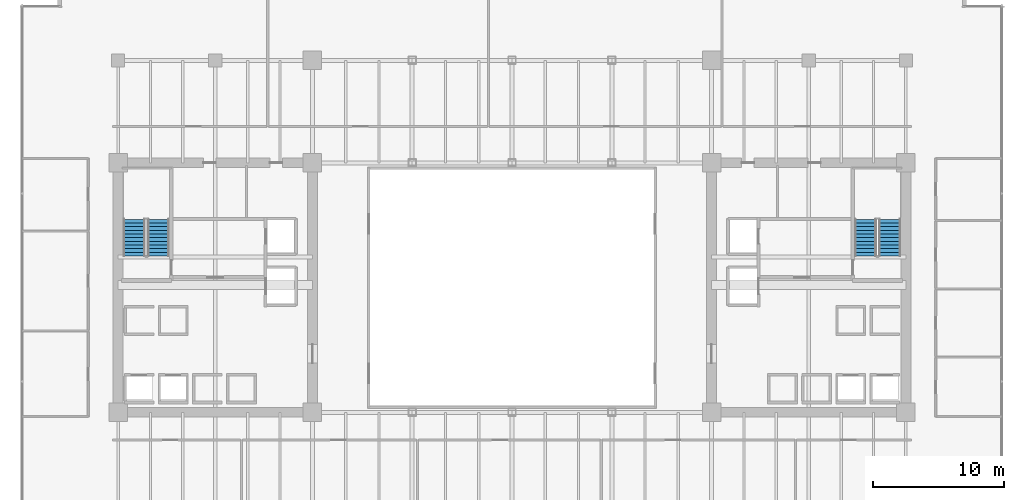
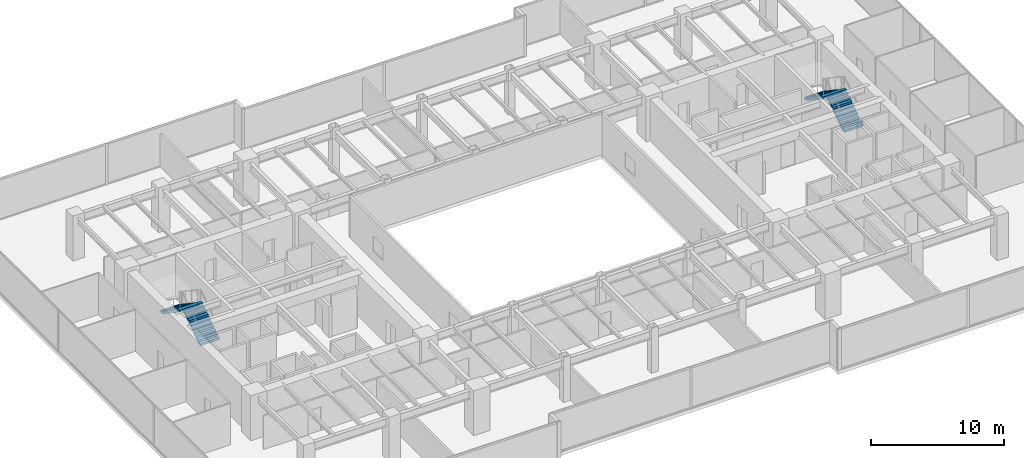
# One storey, part 33 of 35: 4 stair flights, 2 elements without a shape of their own.
"""IFC4 building model written with IfcOpenShell, lengths in metres."""

from ifc_helpers import new_model, si_unit, direction, frame, origin, place, context, subcontext, project, spatial, polyline, outline, extrude, source, transform, mapped, material, type_object, type_shapes, element, aggregate, save


model = new_model("IFC4")

# Units and contexts
model_context = context("Model", 3, precision=1e-05, world=origin(), true_north=direction((0.0, 1.0)))
body_context = subcontext(model_context, "Body", "Model", "MODEL_VIEW")
ifc_project = project(units=[si_unit("LENGTHUNIT", "METRE"), si_unit("AREAUNIT", "SQUARE_METRE"), si_unit("VOLUMEUNIT", "CUBIC_METRE"), si_unit("PLANEANGLEUNIT", "RADIAN"), si_unit("MASSUNIT", "GRAM", prefix="KILO")], contexts=[model_context])

# Site, building, storey
site_placement = place(None, origin())
site = spatial("IfcSite", under=ifc_project, at=site_placement, CompositionType="ELEMENT")
building_placement = place(site_placement, origin())
building = spatial("IfcBuilding", under=site, at=building_placement, Name="Haelvirn Gate Laboratories", CompositionType="ELEMENT")
storey_placement = place(building_placement, frame((0.0, 0.0, 58.0)))
storey = spatial("IfcBuildingStorey", under=building, at=storey_placement, Name="L14", CompositionType="ELEMENT", Elevation=58.0)

# Stair, stair flights
ifc_material = material(Name="Concrete C40/50", Category="concrete")
stair_type = type_object("IfcStairType", Name="ST-DOG-1650-R22", PredefinedType="HALF_TURN_STAIR", material=ifc_material)
stair_1_placement = place(storey_placement, origin())
stair_1 = element("IfcStair", 1, at=stair_1_placement, inside=storey, type_object=stair_type, Name="L14 Escape Stair ST1", PredefinedType="HALF_TURN_STAIR")
stair_flight_type = type_object("IfcStairFlightType", Name="STF-1650-R11", PredefinedType="STRAIGHT", material=ifc_material)
shared_shape = source(origin(), body_context, "Body", "SweptSolid", [
    extrude(outline(polyline([(0.0, 0.0), (0.0, 0.186279296875), (0.280029296875, 0.186279296875), (0.280029296875, 0.372802734375), (0.56005859375, 0.372802734375), (0.56005859375, 0.55908203125), (0.840087890625, 0.55908203125), (0.840087890625, 0.745361328125), (1.1201171875, 0.745361328125), (1.1201171875, 0.931884765625), (1.39990234375, 0.931884765625), (1.39990234375, 1.1181640625), (1.679931640625, 1.1181640625), (1.679931640625, 1.304443359375), (1.9599609375, 1.304443359375), (1.9599609375, 1.490966796875), (2.239990234375, 1.490966796875), (2.239990234375, 1.67724609375), (2.52001953125, 1.67724609375), (2.52001953125, 1.863525390625), (2.800048828125, 1.863525390625), (2.800048828125, 2.050048828125), (2.800048828125, 1.671630859375), (0.28857421875, 0.0), (0.0, 0.0)])), frame((0.0, 0.824951171875, 0.0), z_axis=(0.0, -1.0, 0.0), x_axis=(1.0, 0.0, 0.0)), (0.0, 0.0, 1.0), 1.64990234375),
])
type_shapes(stair_flight_type, [shared_shape])
stair_flight_1_placement = place(storey_placement, frame((10.47509765625, 26.699951171875, 0.0), z_axis=(0.0, 0.0, 1.0), x_axis=(0.0, 1.0, 0.0)))
stair_flight_1 = element("IfcStairFlight", 2, at=stair_flight_1_placement, type_object=stair_flight_type, Name="ST1 flight 1", NumberOfRisers=11, NumberOfTreads=10, PredefinedType="STRAIGHT", RiserHeight=0.186363636, TreadLength=0.28, context=body_context, shape_type="MappedRepresentation", body=[
    mapped(shared_shape, transform((0.0, 0.0, 0.0), scale=1.0)),
])
stair_flight_2_placement = place(storey_placement, frame((8.625, 29.5, 2.050048828125), z_axis=(0.0, 0.0, 1.0), x_axis=(0.0, -1.0, 0.0)))
stair_flight_2 = element("IfcStairFlight", 3, at=stair_flight_2_placement, type_object=stair_flight_type, Name="ST1 flight 2", NumberOfRisers=11, NumberOfTreads=10, PredefinedType="STRAIGHT", RiserHeight=0.186363636, TreadLength=0.28, context=body_context, shape_type="MappedRepresentation", body=[
    mapped(shared_shape, transform((0.0, 0.0, 0.0), scale=1.0)),
])
aggregate(stair_1, [stair_flight_1, stair_flight_2])

stair_2_placement = place(storey_placement, origin())
stair_2 = element("IfcStair", 4, at=stair_2_placement, inside=storey, type_object=stair_type, Name="L14 Escape Stair ST2", PredefinedType="HALF_TURN_STAIR")
stair_flight_3_placement = place(storey_placement, frame((66.175048828125, 26.699951171875, 0.0), z_axis=(0.0, 0.0, 1.0), x_axis=(0.0, 1.0, 0.0)))
stair_flight_3 = element("IfcStairFlight", 5, at=stair_flight_3_placement, type_object=stair_flight_type, Name="ST2 flight 1", NumberOfRisers=11, NumberOfTreads=10, PredefinedType="STRAIGHT", RiserHeight=0.186363636, TreadLength=0.28, context=body_context, shape_type="MappedRepresentation", body=[
    mapped(shared_shape, transform((0.0, 0.0, 0.0), scale=1.0)),
])
stair_flight_4_placement = place(storey_placement, frame((64.324951171875, 29.5, 2.050048828125), z_axis=(0.0, 0.0, 1.0), x_axis=(0.0, -1.0, 0.0)))
stair_flight_4 = element("IfcStairFlight", 6, at=stair_flight_4_placement, type_object=stair_flight_type, Name="ST2 flight 2", NumberOfRisers=11, NumberOfTreads=10, PredefinedType="STRAIGHT", RiserHeight=0.186363636, TreadLength=0.28, context=body_context, shape_type="MappedRepresentation", body=[
    mapped(shared_shape, transform((0.0, 0.0, 0.0), scale=1.0)),
])
aggregate(stair_2, [stair_flight_3, stair_flight_4])

save(model, "model.ifc")
